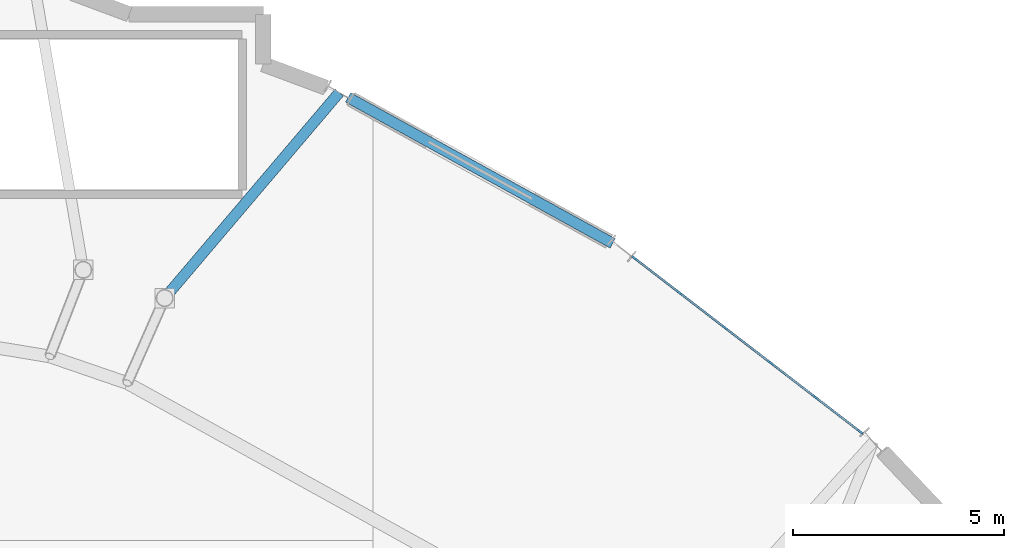
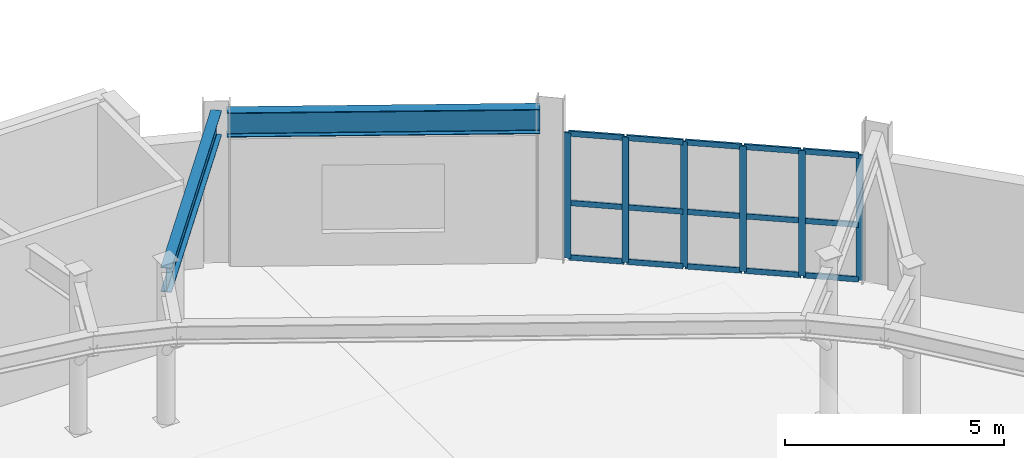
# One storey, part 27 of 48: 21 members, 2 beams, 1 element without a shape of its own.
"""IFC4 building model written with IfcOpenShell, lengths in metres."""

from ifc_helpers import new_model, si_unit, direction, frame, origin, origin_2d, place, context, subcontext, project, spatial, rectangle, i_section, extrude, material, material_profile, profile_set, type_object, element, aggregate, save


model = new_model("IFC4")

# Units and contexts
model_context = context("Model", 3, precision=1e-05, world=origin(), true_north=direction((0.0, 1.0)))
body_context = subcontext(model_context, "Body", "Model", "MODEL_VIEW")
ifc_project = project(units=[si_unit("LENGTHUNIT", "METRE"), si_unit("AREAUNIT", "SQUARE_METRE"), si_unit("VOLUMEUNIT", "CUBIC_METRE"), si_unit("PLANEANGLEUNIT", "RADIAN"), si_unit("MASSUNIT", "GRAM", prefix="KILO")], contexts=[model_context])

# Site, building, storey
site_placement = place(None, origin())
site = spatial("IfcSite", under=ifc_project, at=site_placement, CompositionType="ELEMENT")
building_placement = place(site_placement, origin())
building = spatial("IfcBuilding", under=site, at=building_placement, Name="Glasvene Arena", CompositionType="ELEMENT")
storey_placement = place(building_placement, frame((0.0, 0.0, 19.5)))
storey = spatial("IfcBuildingStorey", under=building, at=storey_placement, Name="L04", CompositionType="ELEMENT", Elevation=19.5)

# Beams
ifc_material_1 = material(Name="Steel S355J2", Category="steel")
ifc_material_profile_1 = material_profile(ifc_material_1, i_section(OverallWidth=0.253662109375, OverallDepth=0.68359375, WebThickness=0.012451171875, FlangeThickness=0.01904296875, FilletRadius=0.01513671875, at=origin_2d()), Name="UKB 686x254x140")
ifc_profile_set_1 = profile_set([ifc_material_profile_1], Name="Steel S355J2")
beam_type = type_object("IfcBeamType", Name="BM-GIRD-686", PredefinedType="BEAM", material=ifc_profile_set_1)
beam_1_placement = place(storey_placement, frame((121.17919921875, 109.521728515625, 3.908203125), z_axis=(-0.875653765723, 0.482939419156, 0.0), x_axis=(-0.482939419156, -0.875653765723, 0.0)))
element("IfcBeam", 1, at=beam_1_placement, inside=storey, type_object=beam_type, Name="Bowl ring chord beam L04-07", PredefinedType="BEAM", context=body_context, shape_type="SweptSolid", body=[
    extrude(i_section(OverallWidth=0.253662109375, OverallDepth=0.68359375, WebThickness=0.012451171875, FlangeThickness=0.01904296875, FilletRadius=0.01513671875, at=origin_2d()), origin(), (0.0, 0.0, 1.0), 7.159912109375),
])
beam_2_placement = place(storey_placement, frame((110.56298828125, 108.225830078125, 3.908203125), z_axis=(0.647421006623, 0.762132560768, 0.0), x_axis=(-0.762132560768, 0.647421006623, 0.0)))
element("IfcBeam", 2, at=beam_2_placement, inside=storey, type_object=beam_type, Name="Gondola outer floor beam 06", PredefinedType="BEAM", context=body_context, shape_type="SweptSolid", body=[
    extrude(i_section(OverallWidth=0.253662109375, OverallDepth=0.68359375, WebThickness=0.012451171875, FlangeThickness=0.01904296875, FilletRadius=0.01513671875, at=origin_2d()), origin(), (0.0, 0.0, 1.0), 6.38916015625),
])

# Curtain wall, members
ifc_material_2 = material(Name="Low-emissivity laminated double glazing", Category="glass")
curtain_wall_type = type_object("IfcCurtainWallType", Name="CW-FAC-L04-679x350", PredefinedType="USERDEFINED", material=ifc_material_2)
curtain_wall_placement = place(storey_placement, frame((121.680419921875, 109.18212890625, 0.0)))
curtain_wall = element("IfcCurtainWall", 3, at=curtain_wall_placement, inside=storey, type_object=curtain_wall_type, Name="Unitised curtain wall CW-F-L04-150-1244-1071-31", ObjectType="CURTAIN WALL", PredefinedType="USERDEFINED")
ifc_material_3 = material(Name="Anodised architectural aluminium", Category="aluminium")
ifc_material_profile_2 = material_profile(ifc_material_3, rectangle(XDim=0.050048828125, YDim=0.159912109375, at=origin_2d()), Name="ALU MULLION 50x160")
ifc_profile_set_2 = profile_set([ifc_material_profile_2], Name="Anodised architectural aluminium")
member_type_1 = type_object("IfcMemberType", Name="CW-MUL-150", PredefinedType="MULLION", material=ifc_profile_set_2)
member_1_placement = place(storey_placement, frame((121.7001953125, 109.166748046875, 0.06005859375), z_axis=(0.0, 0.0, 1.0), x_axis=(0.609430105187, 0.792839799008, 0.0)))
member_1 = element("IfcMember", 4, at=member_1_placement, type_object=member_type_1, Name="CW-050 mullion 1", PredefinedType="MULLION", context=body_context, shape_type="SweptSolid", body=[
    extrude(rectangle(XDim=0.050048828125, YDim=0.159912109375, at=origin_2d()), origin(), (0.0, 0.0, 1.0), 3.501953125),
])
member_2_placement = place(storey_placement, frame((122.75634765625, 108.35498046875, 0.06005859375), z_axis=(0.0, 0.0, 1.0), x_axis=(0.609430105187, 0.792839799008, 0.0)))
member_2 = element("IfcMember", 5, at=member_2_placement, type_object=member_type_1, Name="CW-050 mullion 2", PredefinedType="MULLION", context=body_context, shape_type="SweptSolid", body=[
    extrude(rectangle(XDim=0.050048828125, YDim=0.159912109375, at=origin_2d()), origin(), (0.0, 0.0, 1.0), 3.501953125),
])
member_3_placement = place(storey_placement, frame((123.832275390625, 107.528076171875, 0.06005859375), z_axis=(0.0, 0.0, 1.0), x_axis=(0.609430105187, 0.792839799008, 0.0)))
member_3 = element("IfcMember", 6, at=member_3_placement, type_object=member_type_1, Name="CW-050 mullion 3", PredefinedType="MULLION", context=body_context, shape_type="SweptSolid", body=[
    extrude(rectangle(XDim=0.050048828125, YDim=0.159912109375, at=origin_2d()), origin(), (0.0, 0.0, 1.0), 3.501953125),
])
member_4_placement = place(storey_placement, frame((124.908203125, 106.700927734375, 0.06005859375), z_axis=(0.0, 0.0, 1.0), x_axis=(0.609430105187, 0.792839799008, 0.0)))
member_4 = element("IfcMember", 7, at=member_4_placement, type_object=member_type_1, Name="CW-050 mullion 4", PredefinedType="MULLION", context=body_context, shape_type="SweptSolid", body=[
    extrude(rectangle(XDim=0.050048828125, YDim=0.159912109375, at=origin_2d()), origin(), (0.0, 0.0, 1.0), 3.501953125),
])
member_5_placement = place(storey_placement, frame((125.984130859375, 105.8740234375, 0.06005859375), z_axis=(0.0, 0.0, 1.0), x_axis=(0.609430105187, 0.792839799008, 0.0)))
member_5 = element("IfcMember", 8, at=member_5_placement, type_object=member_type_1, Name="CW-050 mullion 5", PredefinedType="MULLION", context=body_context, shape_type="SweptSolid", body=[
    extrude(rectangle(XDim=0.050048828125, YDim=0.159912109375, at=origin_2d()), origin(), (0.0, 0.0, 1.0), 3.501953125),
])
member_6_placement = place(storey_placement, frame((127.040283203125, 105.062255859375, 0.06005859375), z_axis=(0.0, 0.0, 1.0), x_axis=(0.609430105187, 0.792839799008, 0.0)))
member_6 = element("IfcMember", 9, at=member_6_placement, type_object=member_type_1, Name="CW-050 mullion 6", PredefinedType="MULLION", context=body_context, shape_type="SweptSolid", body=[
    extrude(rectangle(XDim=0.050048828125, YDim=0.159912109375, at=origin_2d()), origin(), (0.0, 0.0, 1.0), 3.501953125),
])
ifc_material_profile_3 = material_profile(ifc_material_3, rectangle(XDim=0.050048828125, YDim=0.14990234375, at=origin_2d()), Name="ALU TRANSOM 50x150")
ifc_profile_set_3 = profile_set([ifc_material_profile_3], Name="Anodised architectural aluminium")
member_type_2 = type_object("IfcMemberType", Name="CW-TRN-150", PredefinedType="USERDEFINED", material=ifc_profile_set_3)
member_7_placement = place(storey_placement, frame((121.719970703125, 109.151611328125, 0.0849609375), z_axis=(0.792836336902, -0.609434609197, 0.0), x_axis=(0.609434609197, 0.792836336902, 0.0)))
member_7 = element("IfcMember", 10, at=member_7_placement, type_object=member_type_2, Name="CW-050 transom 1.1", ObjectType="TRANSOM", PredefinedType="USERDEFINED", context=body_context, shape_type="SweptSolid", body=[
    extrude(rectangle(XDim=0.050048828125, YDim=0.14990234375, at=origin_2d()), origin(), (0.0, 0.0, 1.0), 1.281982421875),
])
member_8_placement = place(storey_placement, frame((121.719970703125, 109.151611328125, 1.60302734375), z_axis=(0.792836336902, -0.609434609197, 0.0), x_axis=(0.609434609197, 0.792836336902, 0.0)))
member_8 = element("IfcMember", 11, at=member_8_placement, type_object=member_type_2, Name="CW-050 transom 1.2", ObjectType="TRANSOM", PredefinedType="USERDEFINED", context=body_context, shape_type="SweptSolid", body=[
    extrude(rectangle(XDim=0.050048828125, YDim=0.14990234375, at=origin_2d()), origin(), (0.0, 0.0, 1.0), 1.281982421875),
])
member_9_placement = place(storey_placement, frame((121.719970703125, 109.151611328125, 3.537109375), z_axis=(0.792836336902, -0.609434609197, 0.0), x_axis=(0.609434609197, 0.792836336902, 0.0)))
member_9 = element("IfcMember", 12, at=member_9_placement, type_object=member_type_2, Name="CW-050 transom 1.3", ObjectType="TRANSOM", PredefinedType="USERDEFINED", context=body_context, shape_type="SweptSolid", body=[
    extrude(rectangle(XDim=0.050048828125, YDim=0.14990234375, at=origin_2d()), origin(), (0.0, 0.0, 1.0), 1.281982421875),
])
member_10_placement = place(storey_placement, frame((122.776123046875, 108.33984375, 0.0849609375), z_axis=(0.7927697937, -0.609521167965, 0.0), x_axis=(0.609521167965, 0.7927697937, 0.0)))
member_10 = element("IfcMember", 13, at=member_10_placement, type_object=member_type_2, Name="CW-050 transom 2.1", ObjectType="TRANSOM", PredefinedType="USERDEFINED", context=body_context, shape_type="SweptSolid", body=[
    extrude(rectangle(XDim=0.050048828125, YDim=0.14990234375, at=origin_2d()), origin(), (0.0, 0.0, 1.0), 1.306884765625),
])
member_11_placement = place(storey_placement, frame((122.776123046875, 108.33984375, 1.60302734375), z_axis=(0.7927697937, -0.609521167965, 0.0), x_axis=(0.609521167965, 0.7927697937, 0.0)))
member_11 = element("IfcMember", 14, at=member_11_placement, type_object=member_type_2, Name="CW-050 transom 2.2", ObjectType="TRANSOM", PredefinedType="USERDEFINED", context=body_context, shape_type="SweptSolid", body=[
    extrude(rectangle(XDim=0.050048828125, YDim=0.14990234375, at=origin_2d()), origin(), (0.0, 0.0, 1.0), 1.306884765625),
])
member_12_placement = place(storey_placement, frame((122.776123046875, 108.33984375, 3.537109375), z_axis=(0.7927697937, -0.609521167965, 0.0), x_axis=(0.609521167965, 0.7927697937, 0.0)))
member_12 = element("IfcMember", 15, at=member_12_placement, type_object=member_type_2, Name="CW-050 transom 2.3", ObjectType="TRANSOM", PredefinedType="USERDEFINED", context=body_context, shape_type="SweptSolid", body=[
    extrude(rectangle(XDim=0.050048828125, YDim=0.14990234375, at=origin_2d()), origin(), (0.0, 0.0, 1.0), 1.306884765625),
])
member_13_placement = place(storey_placement, frame((123.85205078125, 107.5126953125, 0.0849609375), z_axis=(0.792860057834, -0.609403748505, 0.0), x_axis=(0.609403748505, 0.792860057834, 0.0)))
member_13 = element("IfcMember", 16, at=member_13_placement, type_object=member_type_2, Name="CW-050 transom 3.1", ObjectType="TRANSOM", PredefinedType="USERDEFINED", context=body_context, shape_type="SweptSolid", body=[
    extrude(rectangle(XDim=0.050048828125, YDim=0.14990234375, at=origin_2d()), origin(), (0.0, 0.0, 1.0), 1.306884765625),
])
member_14_placement = place(storey_placement, frame((123.85205078125, 107.5126953125, 1.60302734375), z_axis=(0.792860057834, -0.609403748505, 0.0), x_axis=(0.609403748505, 0.792860057834, 0.0)))
member_14 = element("IfcMember", 17, at=member_14_placement, type_object=member_type_2, Name="CW-050 transom 3.2", ObjectType="TRANSOM", PredefinedType="USERDEFINED", context=body_context, shape_type="SweptSolid", body=[
    extrude(rectangle(XDim=0.050048828125, YDim=0.14990234375, at=origin_2d()), origin(), (0.0, 0.0, 1.0), 1.306884765625),
])
member_15_placement = place(storey_placement, frame((123.85205078125, 107.5126953125, 3.537109375), z_axis=(0.792860057834, -0.609403748505, 0.0), x_axis=(0.609403748505, 0.792860057834, 0.0)))
member_15 = element("IfcMember", 18, at=member_15_placement, type_object=member_type_2, Name="CW-050 transom 3.3", ObjectType="TRANSOM", PredefinedType="USERDEFINED", context=body_context, shape_type="SweptSolid", body=[
    extrude(rectangle(XDim=0.050048828125, YDim=0.14990234375, at=origin_2d()), origin(), (0.0, 0.0, 1.0), 1.306884765625),
])
member_16_placement = place(storey_placement, frame((124.927978515625, 106.685791015625, 0.0849609375), z_axis=(0.792839176662, -0.609430914829, 0.0), x_axis=(0.609430914829, 0.792839176662, 0.0)))
member_16 = element("IfcMember", 19, at=member_16_placement, type_object=member_type_2, Name="CW-050 transom 4.1", ObjectType="TRANSOM", PredefinedType="USERDEFINED", context=body_context, shape_type="SweptSolid", body=[
    extrude(rectangle(XDim=0.050048828125, YDim=0.14990234375, at=origin_2d()), origin(), (0.0, 0.0, 1.0), 1.30712890625),
])
member_17_placement = place(storey_placement, frame((124.927978515625, 106.685791015625, 1.60302734375), z_axis=(0.792839176662, -0.609430914829, 0.0), x_axis=(0.609430914829, 0.792839176662, 0.0)))
member_17 = element("IfcMember", 20, at=member_17_placement, type_object=member_type_2, Name="CW-050 transom 4.2", ObjectType="TRANSOM", PredefinedType="USERDEFINED", context=body_context, shape_type="SweptSolid", body=[
    extrude(rectangle(XDim=0.050048828125, YDim=0.14990234375, at=origin_2d()), origin(), (0.0, 0.0, 1.0), 1.30712890625),
])
member_18_placement = place(storey_placement, frame((124.927978515625, 106.685791015625, 3.537109375), z_axis=(0.792839176662, -0.609430914829, 0.0), x_axis=(0.609430914829, 0.792839176662, 0.0)))
member_18 = element("IfcMember", 21, at=member_18_placement, type_object=member_type_2, Name="CW-050 transom 4.3", ObjectType="TRANSOM", PredefinedType="USERDEFINED", context=body_context, shape_type="SweptSolid", body=[
    extrude(rectangle(XDim=0.050048828125, YDim=0.14990234375, at=origin_2d()), origin(), (0.0, 0.0, 1.0), 1.30712890625),
])
member_19_placement = place(storey_placement, frame((126.00390625, 105.858642578125, 0.0849609375), z_axis=(0.792836336902, -0.609434609197, 0.0), x_axis=(0.609434609197, 0.792836336902, 0.0)))
member_19 = element("IfcMember", 22, at=member_19_placement, type_object=member_type_2, Name="CW-050 transom 5.1", ObjectType="TRANSOM", PredefinedType="USERDEFINED", context=body_context, shape_type="SweptSolid", body=[
    extrude(rectangle(XDim=0.050048828125, YDim=0.14990234375, at=origin_2d()), origin(), (0.0, 0.0, 1.0), 1.281982421875),
])
member_20_placement = place(storey_placement, frame((126.00390625, 105.858642578125, 1.60302734375), z_axis=(0.792836336902, -0.609434609197, 0.0), x_axis=(0.609434609197, 0.792836336902, 0.0)))
member_20 = element("IfcMember", 23, at=member_20_placement, type_object=member_type_2, Name="CW-050 transom 5.2", ObjectType="TRANSOM", PredefinedType="USERDEFINED", context=body_context, shape_type="SweptSolid", body=[
    extrude(rectangle(XDim=0.050048828125, YDim=0.14990234375, at=origin_2d()), origin(), (0.0, 0.0, 1.0), 1.281982421875),
])
member_21_placement = place(storey_placement, frame((126.00390625, 105.858642578125, 3.537109375), z_axis=(0.792836336902, -0.609434609197, 0.0), x_axis=(0.609434609197, 0.792836336902, 0.0)))
member_21 = element("IfcMember", 24, at=member_21_placement, type_object=member_type_2, Name="CW-050 transom 5.3", ObjectType="TRANSOM", PredefinedType="USERDEFINED", context=body_context, shape_type="SweptSolid", body=[
    extrude(rectangle(XDim=0.050048828125, YDim=0.14990234375, at=origin_2d()), origin(), (0.0, 0.0, 1.0), 1.281982421875),
])
aggregate(curtain_wall, [member_1, member_2, member_3, member_4, member_5, member_6, member_7, member_8, member_9, member_10, member_11, member_12, member_13, member_14, member_15, member_16, member_17, member_18, member_19, member_20, member_21])

save(model, "model.ifc")
